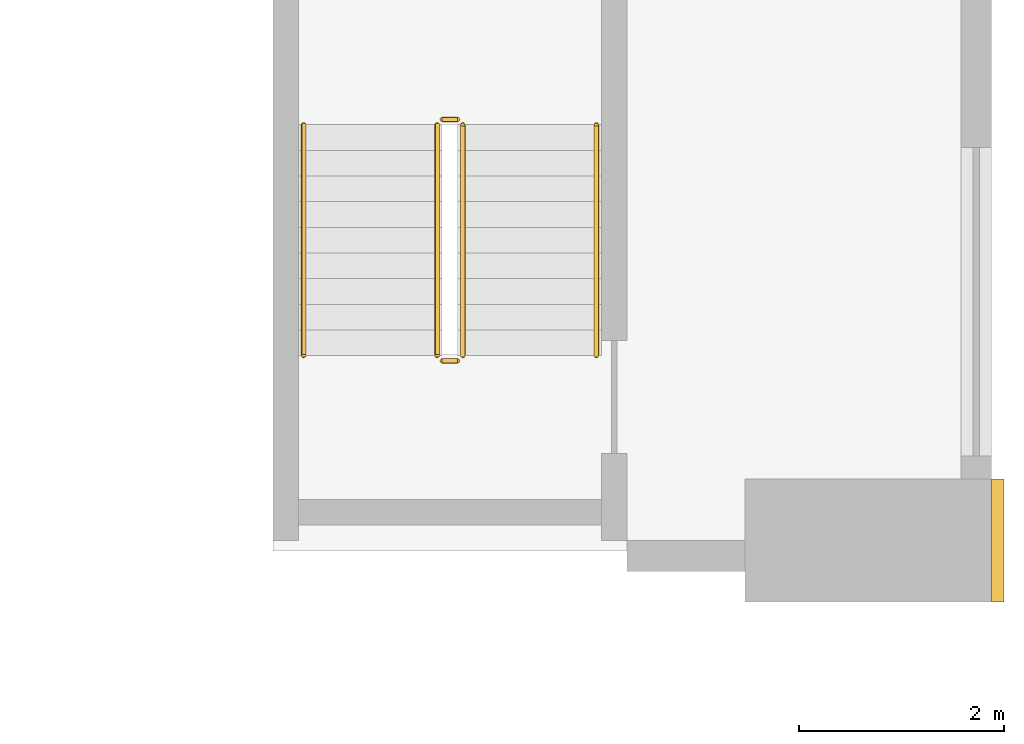
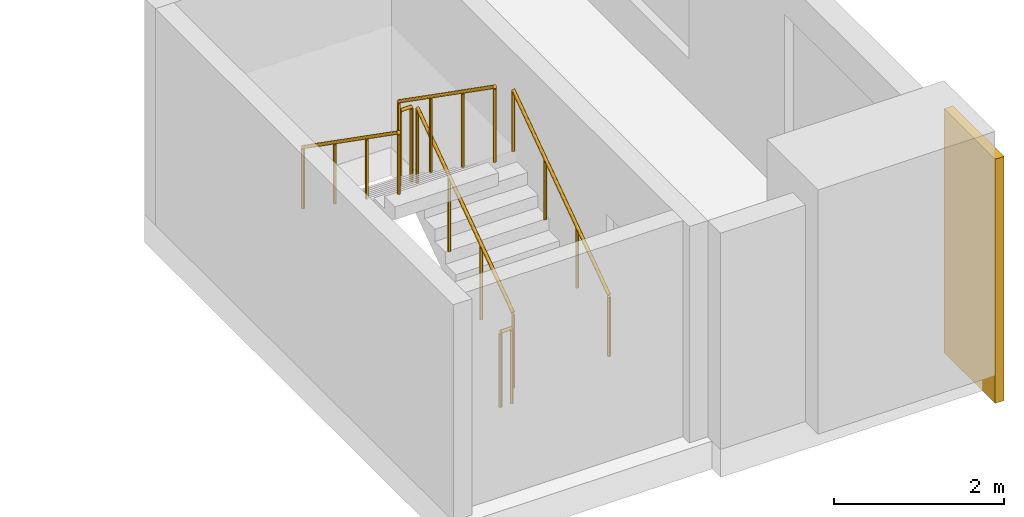
# One storey, part 6 of 7: 6 railings, 1 covering.
"""IFC4 building model written with IfcOpenShell, lengths in metres."""

from ifc_helpers import new_model, si_unit, direction, frame, origin, origin_2d, place, context, subcontext, project, spatial, rectangle, circle, extrude, source, transform, mapped, material, type_object, element, save


model = new_model("IFC4")

# Units and contexts
model_context = context("Model", 3, precision=1e-05, world=origin(), true_north=direction((0.0, 1.0)))
body_context = subcontext(model_context, "Body", "Model", "MODEL_VIEW")
ifc_project = project(units=[si_unit("LENGTHUNIT", "METRE"), si_unit("AREAUNIT", "SQUARE_METRE"), si_unit("VOLUMEUNIT", "CUBIC_METRE"), si_unit("PLANEANGLEUNIT", "RADIAN"), si_unit("MASSUNIT", "GRAM", prefix="KILO")], contexts=[model_context])

# Site, building, storey
site_placement = place(None, origin())
site = spatial("IfcSite", under=ifc_project, at=site_placement, CompositionType="ELEMENT")
building_placement = place(site_placement, origin())
building = spatial("IfcBuilding", under=site, at=building_placement, Name="Aurelian Terraces", CompositionType="ELEMENT")
storey_placement = place(building_placement, frame((0.0, 0.0, 337.0)))
storey = spatial("IfcBuildingStorey", under=building, at=storey_placement, Name="L79", CompositionType="ELEMENT", Elevation=337.0)

# Covering
ifc_material_1 = material(Name="Terracotta rainscreen cladding relief", Category="masonry")
covering_type = type_object("IfcCoveringType", Name="BAGUETTE-TC", PredefinedType="CLADDING", material=ifc_material_1)
shared_shape_1 = source(origin(), body_context, "Body", "SweptSolid", [
    extrude(rectangle(XDim=0.12, YDim=1.2, at=origin_2d()), origin(), (0.0, 0.0, 1.0), 3.5),
])
covering_placement = place(storey_placement, frame((47.46, 0.3, -0.4), z_axis=(0.0, 0.0, 1.0), x_axis=(1.0, 0.0, 0.0)))
element("IfcCovering", 1, at=covering_placement, inside=storey, type_object=covering_type, Name="BAGUETTE pier L79 2", PredefinedType="CLADDING", context=body_context, shape_type="MappedRepresentation", body=[
    mapped(shared_shape_1, transform((0.0, 0.0, 0.0), scale=1.0)),
])

# Railings
ifc_material_2 = material(Name="Stainless steel", Category="steel")
railing_type_1 = type_object("IfcRailingType", Name="Stair guard 1100", PredefinedType="GUARDRAIL", material=ifc_material_2)
shared_shape_2 = source(origin(), body_context, "Body", "SweptSolid", [
    extrude(circle(Radius=0.024, at=origin_2d()), frame((0.0, 0.0, 1.076), z_axis=(-1.0, 0.0, 0.0), x_axis=(0.0, -1.0, 0.0)), (0.0, 0.0, 1.0), 0.15),
    extrude(circle(Radius=0.021, at=origin_2d()), origin(), (0.0, 0.0, 1.0), 1.052),
    extrude(circle(Radius=0.021, at=origin_2d()), frame((-0.15, 0.0, 0.0)), (0.0, 0.0, 1.0), 1.052),
])
for number, where, name in (
    (2, (42.2, 4.4, 1.75), "L79 S2 stair guard 2"),
    (3, (42.2, 2.05, 0.0), "L79 S2 stair guard 4"),
):
    element("IfcRailing", number, at=place(storey_placement, frame(where)), inside=storey, type_object=railing_type_1, Name=name, PredefinedType="GUARDRAIL", context=body_context, shape_type="MappedRepresentation", body=[
        mapped(shared_shape_2, transform((0.0, 0.0, 0.0), scale=1.0)),
    ])
shared_shape_3 = source(origin(), body_context, "Body", "SweptSolid", [
    extrude(circle(Radius=0.024, at=origin_2d()), frame((0.0, 0.0, 1.076), z_axis=(0.0, 0.819231920519, 0.573462344363), x_axis=(-1.0, 0.0, 0.0)), (0.0, 0.0, 1.0), 2.7465),
    extrude(circle(Radius=0.021, at=origin_2d()), origin(), (0.0, 0.0, 1.0), 1.052),
    extrude(circle(Radius=0.021, at=origin_2d()), frame((0.0, 0.75, 0.525)), (0.0, 0.0, 1.0), 1.052),
    extrude(circle(Radius=0.021, at=origin_2d()), frame((0.0, 1.5, 1.05)), (0.0, 0.0, 1.0), 1.052),
    extrude(circle(Radius=0.021, at=origin_2d()), frame((0.0, 2.25, 1.575)), (0.0, 0.0, 1.0), 1.052),
])
railing_1_placement = place(storey_placement, frame((42.25, 2.1, 0.175)))
element("IfcRailing", 4, at=railing_1_placement, inside=storey, type_object=railing_type_1, Name="L79 S2 stair guard 1", PredefinedType="GUARDRAIL", context=body_context, shape_type="MappedRepresentation", body=[
    mapped(shared_shape_3, transform((0.0, 0.0, 0.0), scale=1.0)),
])
shared_shape_4 = source(origin(), body_context, "Body", "SweptSolid", [
    extrude(circle(Radius=0.024, at=origin_2d()), frame((0.0, 0.0, 1.076), z_axis=(0.0, -0.819231920519, 0.573462344363), x_axis=(1.0, 0.0, 0.0)), (0.0, 0.0, 1.0), 2.7465),
    extrude(circle(Radius=0.021, at=origin_2d()), origin(), (0.0, 0.0, 1.0), 1.052),
    extrude(circle(Radius=0.021, at=origin_2d()), frame((0.0, -0.75, 0.525)), (0.0, 0.0, 1.0), 1.052),
    extrude(circle(Radius=0.021, at=origin_2d()), frame((0.0, -1.5, 1.05)), (0.0, 0.0, 1.0), 1.052),
    extrude(circle(Radius=0.021, at=origin_2d()), frame((0.0, -2.25, 1.575)), (0.0, 0.0, 1.0), 1.052),
])
railing_2_placement = place(storey_placement, frame((42.0, 4.35, 1.925)))
element("IfcRailing", 5, at=railing_2_placement, inside=storey, type_object=railing_type_1, Name="L79 S2 stair guard 3", PredefinedType="GUARDRAIL", context=body_context, shape_type="MappedRepresentation", body=[
    mapped(shared_shape_4, transform((0.0, 0.0, 0.0), scale=1.0)),
])
railing_type_2 = type_object("IfcRailingType", Name="Stair handrail", PredefinedType="HANDRAIL", material=ifc_material_2)
shared_shape_5 = source(origin(), body_context, "Body", "SweptSolid", [
    extrude(circle(Radius=0.024, at=origin_2d()), frame((0.0, 0.0, 0.876), z_axis=(0.0, 0.819231920519, 0.573462344363), x_axis=(-1.0, 0.0, 0.0)), (0.0, 0.0, 1.0), 2.7465),
    extrude(circle(Radius=0.021, at=origin_2d()), origin(), (0.0, 0.0, 1.0), 0.852),
    extrude(circle(Radius=0.021, at=origin_2d()), frame((0.0, 0.75, 0.525)), (0.0, 0.0, 1.0), 0.852),
    extrude(circle(Radius=0.021, at=origin_2d()), frame((0.0, 1.5, 1.05)), (0.0, 0.0, 1.0), 0.852),
    extrude(circle(Radius=0.021, at=origin_2d()), frame((0.0, 2.25, 1.575)), (0.0, 0.0, 1.0), 0.852),
])
railing_3_placement = place(storey_placement, frame((43.55, 2.1, 0.175)))
element("IfcRailing", 6, at=railing_3_placement, inside=storey, type_object=railing_type_2, Name="L79 S2 stair handrail 1", PredefinedType="HANDRAIL", context=body_context, shape_type="MappedRepresentation", body=[
    mapped(shared_shape_5, transform((0.0, 0.0, 0.0), scale=1.0)),
])
shared_shape_6 = source(origin(), body_context, "Body", "SweptSolid", [
    extrude(circle(Radius=0.024, at=origin_2d()), frame((0.0, 0.0, 0.876), z_axis=(0.0, -0.819231920519, 0.573462344363), x_axis=(1.0, 0.0, 0.0)), (0.0, 0.0, 1.0), 2.7465),
    extrude(circle(Radius=0.021, at=origin_2d()), origin(), (0.0, 0.0, 1.0), 0.852),
    extrude(circle(Radius=0.021, at=origin_2d()), frame((0.0, -0.75, 0.525)), (0.0, 0.0, 1.0), 0.852),
    extrude(circle(Radius=0.021, at=origin_2d()), frame((0.0, -1.5, 1.05)), (0.0, 0.0, 1.0), 0.852),
    extrude(circle(Radius=0.021, at=origin_2d()), frame((0.0, -2.25, 1.575)), (0.0, 0.0, 1.0), 0.852),
])
railing_4_placement = place(storey_placement, frame((40.7, 4.35, 1.925)))
element("IfcRailing", 7, at=railing_4_placement, inside=storey, type_object=railing_type_2, Name="L79 S2 stair handrail 2", PredefinedType="HANDRAIL", context=body_context, shape_type="MappedRepresentation", body=[
    mapped(shared_shape_6, transform((0.0, 0.0, 0.0), scale=1.0)),
])

save(model, "model.ifc")
